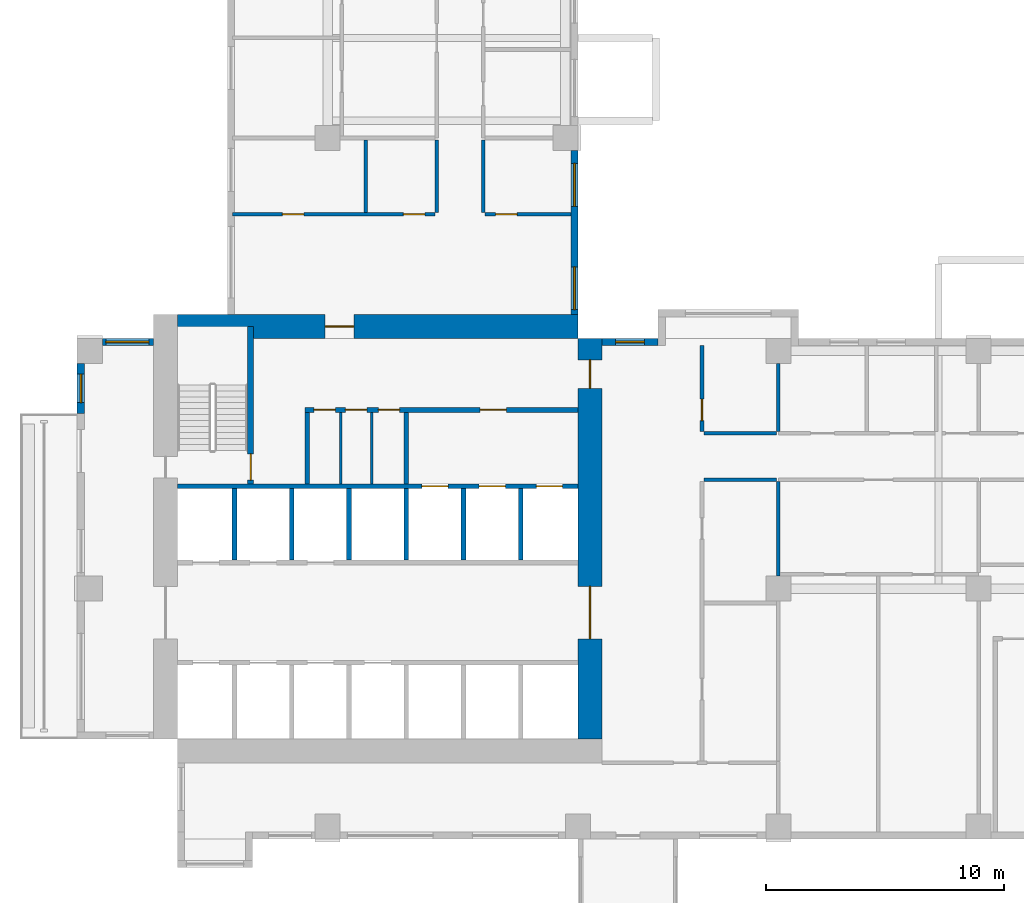
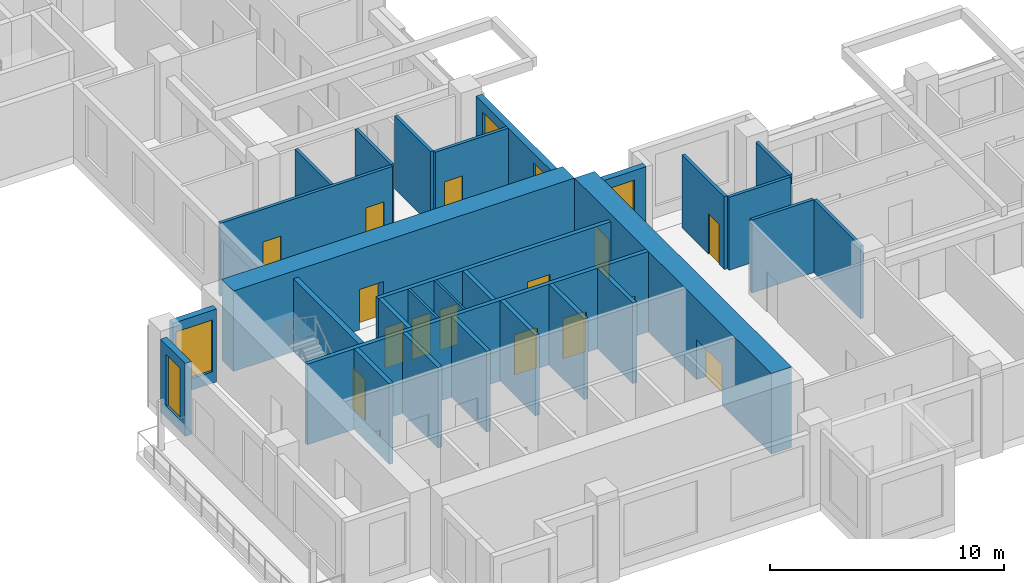
# One storey, part 3 of 14: 29 walls, 15 doors, 5 windows, 20 openings.
"""IFC4 building model written with IfcOpenShell, lengths in metres."""

from ifc_helpers import new_model, si_unit, direction, frame, frame_2d, origin, place, context, subcontext, project, spatial, rectangle, extrude, source, transform, mapped, material, layer, layer_set, type_object, element, fill, save


model = new_model("IFC4")

# Units and contexts
model_context = context("Model", 3, precision=1e-05, world=origin(), true_north=direction((0.0, 1.0)))
body_context = subcontext(model_context, "Body", "Model", "MODEL_VIEW")
ifc_project = project(units=[si_unit("LENGTHUNIT", "METRE"), si_unit("AREAUNIT", "SQUARE_METRE"), si_unit("VOLUMEUNIT", "CUBIC_METRE"), si_unit("PLANEANGLEUNIT", "RADIAN"), si_unit("MASSUNIT", "GRAM", prefix="KILO")], contexts=[model_context])

# Site, building, storey
site_placement = place(None, origin())
site = spatial("IfcSite", under=ifc_project, at=site_placement, CompositionType="ELEMENT")
building_placement = place(site_placement, origin())
building = spatial("IfcBuilding", under=site, at=building_placement, Name="Aurelian Terraces", CompositionType="ELEMENT")
storey_placement = place(building_placement, frame((0.0, 0.0, 116.1)))
storey = spatial("IfcBuildingStorey", under=building, at=storey_placement, Name="L25", CompositionType="ELEMENT", Elevation=116.1)

# Wall, opening, window
ifc_material_1 = material(Name="Terracotta rainscreen cladding", Category="masonry")
ifc_layer_1 = layer(ifc_material_1, 0.3)
ifc_layer_set_1 = layer_set([ifc_layer_1], Name="EW-300")
wall_type_1 = type_object("IfcWallType", Name="EW-300", PredefinedType="STANDARD", material=ifc_layer_set_1)
wall_1_placement = place(storey_placement, frame((24.36, 20.85, 0.0), z_axis=(0.0, 0.0, 1.0), x_axis=(-1.0, 0.0, 0.0)))
wall_1 = element("IfcWall", 1, at=wall_1_placement, inside=storey, type_object=wall_type_1, Name="External wall L25 F07.22", PredefinedType="STANDARD", context=body_context, shape_type="SweptSolid", body=[
    extrude(rectangle(XDim=2.36, YDim=0.3, at=frame_2d((1.18, 0.0))), origin(), (0.0, 0.0, 1.0), 3.8),
])
shared_shape_1 = source(origin(), body_context, "Body", "SweptSolid", [
    extrude(rectangle(XDim=1.2, YDim=2.7, at=frame_2d((0.6, 1.35))), frame((0.0, 0.16, 0.0), z_axis=(0.0, -1.0, 0.0), x_axis=(1.0, 0.0, 0.0)), (0.0, 0.0, 1.0), 0.32),
])
opening_1_placement = place(wall_1_placement, frame((0.58, 0.0, 0.6)))
opening_1 = element("IfcOpeningElement", 2, at=opening_1_placement, cuts=wall_1, Name="Opening W1227", PredefinedType="OPENING", context=body_context, shape_type="MappedRepresentation", body=[
    mapped(shared_shape_1, transform((0.0, 0.0, 0.0), scale=1.0)),
])
ifc_material_2 = material(Name="Clear glazing", Category="glass")
window_type_1 = type_object("IfcWindowType", Name="W-1200x2700", PartitioningType="SINGLE_PANEL", PredefinedType="WINDOW", material=ifc_material_2)
shared_shape_2 = source(origin(), body_context, "Body", "SweptSolid", [
    extrude(rectangle(XDim=1.2, YDim=2.7, at=frame_2d((0.6, 1.35))), frame((0.0, 0.03, 0.0), z_axis=(0.0, -1.0, 0.0), x_axis=(1.0, 0.0, 0.0)), (0.0, 0.0, 1.0), 0.06),
])
window_1_placement = place(opening_1_placement, origin())
window_1 = element("IfcWindow", 3, at=window_1_placement, inside=storey, type_object=window_type_1, Name="Window L25 L25-F07-22-P0", OverallHeight=2.7, OverallWidth=1.2, PartitioningType="SINGLE_PANEL", PredefinedType="WINDOW", context=body_context, shape_type="MappedRepresentation", body=[
    mapped(shared_shape_2, transform((0.0, 0.0, 0.0), scale=1.0)),
])
fill(opening_1, window_1)

# Wall, openings, doors
ifc_material_3 = material(Name="Concrete fc' 83 MPa", Category="concrete")
ifc_layer_2 = layer(ifc_material_3, 1.0)
ifc_layer_set_2 = layer_set([ifc_layer_2], Name="CORE WALL 1000 FC83")
wall_type_2 = type_object("IfcWallType", Name="CORE WALL 1000 FC83", PredefinedType="SHEAR", material=ifc_layer_set_2)
shared_shape_3 = source(origin(), body_context, "Body", "SweptSolid", [
    extrude(rectangle(XDim=16.8, YDim=1.0, at=frame_2d((8.4, 0.0))), origin(), (0.0, 0.0, 1.0), 4.2),
])
wall_2_placement = place(storey_placement, frame((21.5, 4.2, 0.0), z_axis=(0.0, 0.0, 1.0), x_axis=(0.0, 1.0, 0.0)))
wall_2 = element("IfcWall", 4, at=wall_2_placement, inside=storey, type_object=wall_type_2, Name="Core wall E L25", PredefinedType="SHEAR", context=body_context, shape_type="MappedRepresentation", body=[
    mapped(shared_shape_3, transform((0.0, 0.0, 0.0), scale=1.0)),
])
shared_shape_4 = source(origin(), body_context, "Body", "SweptSolid", [
    extrude(rectangle(XDim=2.2, YDim=2.1, at=frame_2d((1.1, 1.05))), frame((0.0, 0.51, 0.0), z_axis=(0.0, -1.0, 0.0), x_axis=(1.0, 0.0, 0.0)), (0.0, 0.0, 1.0), 1.02),
])
opening_2_placement = place(wall_2_placement, frame((4.2, 0.0, 0.0)))
opening_2 = element("IfcOpeningElement", 5, at=opening_2_placement, cuts=wall_2, Name="Opening 62821", PredefinedType="OPENING", context=body_context, shape_type="MappedRepresentation", body=[
    mapped(shared_shape_4, transform((0.0, 0.0, 0.0), scale=1.0)),
])
shared_shape_5 = source(origin(), body_context, "Body", "SweptSolid", [
    extrude(rectangle(XDim=1.2, YDim=2.1, at=frame_2d((0.6, 1.05))), frame((0.0, 0.51, 0.0), z_axis=(0.0, -1.0, 0.0), x_axis=(1.0, 0.0, 0.0)), (0.0, 0.0, 1.0), 1.02),
])
opening_3_placement = place(wall_2_placement, frame((14.7, 0.0, 0.0)))
opening_3 = element("IfcOpeningElement", 6, at=opening_3_placement, cuts=wall_2, Name="Opening 62824", PredefinedType="OPENING", context=body_context, shape_type="MappedRepresentation", body=[
    mapped(shared_shape_5, transform((0.0, 0.0, 0.0), scale=1.0)),
])
ifc_material_4 = material(Name="Steel door leaf", Category="steel")
door_type_1 = type_object("IfcDoorType", Name="Core fire door 1200x2100 right", OperationType="SINGLE_SWING_RIGHT", PredefinedType="DOOR", material=ifc_material_4)
shared_shape_6 = source(origin(), body_context, "Body", "SweptSolid", [
    extrude(rectangle(XDim=1.2, YDim=2.1, at=frame_2d((0.6, 1.05))), frame((0.0, 0.025, 0.0), z_axis=(0.0, -1.0, 0.0), x_axis=(1.0, 0.0, 0.0)), (0.0, 0.0, 1.0), 0.05),
])
door_1_placement = place(opening_3_placement, origin())
door_1 = element("IfcDoor", 7, at=door_1_placement, inside=storey, type_object=door_type_1, Name="Core door 62824", OperationType="SINGLE_SWING_RIGHT", OverallHeight=2.1, OverallWidth=1.2, PredefinedType="DOOR", context=body_context, shape_type="MappedRepresentation", body=[
    mapped(shared_shape_6, transform((0.0, 0.0, 0.0), scale=1.0)),
])
fill(opening_3, door_1)
door_type_2 = type_object("IfcDoorType", Name="Core double door 2200x2100", OperationType="DOUBLE_DOOR_SINGLE_SWING", PredefinedType="DOOR", material=ifc_material_4)
shared_shape_7 = source(origin(), body_context, "Body", "SweptSolid", [
    extrude(rectangle(XDim=2.2, YDim=2.1, at=frame_2d((1.1, 1.05))), frame((0.0, 0.025, 0.0), z_axis=(0.0, -1.0, 0.0), x_axis=(1.0, 0.0, 0.0)), (0.0, 0.0, 1.0), 0.05),
])
door_2_placement = place(opening_2_placement, origin())
door_2 = element("IfcDoor", 8, at=door_2_placement, inside=storey, type_object=door_type_2, Name="Core door 62821", OperationType="DOUBLE_DOOR_SINGLE_SWING", OverallHeight=2.1, OverallWidth=2.2, PredefinedType="DOOR", context=body_context, shape_type="MappedRepresentation", body=[
    mapped(shared_shape_7, transform((0.0, 0.0, 0.0), scale=1.0)),
])
fill(opening_2, door_2)

# Wall, opening, door
wall_3_placement = place(storey_placement, frame((4.2, 21.5, 0.0), z_axis=(0.0, 0.0, 1.0), x_axis=(1.0, 0.0, 0.0)))
wall_3 = element("IfcWall", 9, at=wall_3_placement, inside=storey, type_object=wall_type_2, Name="Core wall N L25", PredefinedType="SHEAR", context=body_context, shape_type="MappedRepresentation", body=[
    mapped(shared_shape_3, transform((0.0, 0.0, 0.0), scale=1.0)),
])
opening_4_placement = place(wall_3_placement, frame((6.2, 0.0, 0.0)))
opening_4 = element("IfcOpeningElement", 10, at=opening_4_placement, cuts=wall_3, Name="Opening 62823", PredefinedType="OPENING", context=body_context, shape_type="MappedRepresentation", body=[
    mapped(shared_shape_5, transform((0.0, 0.0, 0.0), scale=1.0)),
])
door_type_3 = type_object("IfcDoorType", Name="Core fire door 1200x2100", OperationType="SINGLE_SWING_LEFT", PredefinedType="DOOR", material=ifc_material_4)
door_3_placement = place(opening_4_placement, origin())
door_3 = element("IfcDoor", 11, at=door_3_placement, inside=storey, type_object=door_type_3, Name="Core door 62823", OperationType="SINGLE_SWING_LEFT", OverallHeight=2.1, OverallWidth=1.2, PredefinedType="DOOR", context=body_context, shape_type="MappedRepresentation", body=[
    mapped(shared_shape_6, transform((0.0, 0.0, 0.0), scale=1.0)),
])
fill(opening_4, door_3)

# Wall, openings, windows
shared_shape_8 = source(origin(), body_context, "Body", "SweptSolid", [
    extrude(rectangle(XDim=6.875, YDim=0.3, at=frame_2d((3.4375, 0.0))), origin(), (0.0, 0.0, 1.0), 3.8),
])
wall_4_placement = place(storey_placement, frame((20.85, 22.0, 0.0), z_axis=(0.0, 0.0, 1.0), x_axis=(0.0, 1.0, 0.0)))
wall_4 = element("IfcWall", 12, at=wall_4_placement, inside=storey, type_object=wall_type_1, Name="External wall L25 F08.23", PredefinedType="STANDARD", context=body_context, shape_type="MappedRepresentation", body=[
    mapped(shared_shape_8, transform((0.0, 0.0, 0.0), scale=1.0)),
])
shared_shape_9 = source(origin(), body_context, "Body", "SweptSolid", [
    extrude(rectangle(XDim=1.8, YDim=2.7, at=frame_2d((0.9, 1.35))), frame((0.0, 0.16, 0.0), z_axis=(0.0, -1.0, 0.0), x_axis=(1.0, 0.0, 0.0)), (0.0, 0.0, 1.0), 0.32),
])
opening_5_placement = place(wall_4_placement, frame((0.2, 0.0, 0.6)))
opening_5 = element("IfcOpeningElement", 13, at=opening_5_placement, cuts=wall_4, Name="Opening W1827", PredefinedType="OPENING", context=body_context, shape_type="MappedRepresentation", body=[
    mapped(shared_shape_9, transform((0.0, 0.0, 0.0), scale=1.0)),
])
opening_6_placement = place(wall_4_placement, frame((4.5375, 0.0, 0.6)))
opening_6 = element("IfcOpeningElement", 14, at=opening_6_placement, cuts=wall_4, Name="Opening W1827", PredefinedType="OPENING", context=body_context, shape_type="MappedRepresentation", body=[
    mapped(shared_shape_9, transform((0.0, 0.0, 0.0), scale=1.0)),
])
window_type_2 = type_object("IfcWindowType", Name="W-1800x2700", PartitioningType="SINGLE_PANEL", PredefinedType="WINDOW", material=ifc_material_2)
shared_shape_10 = source(origin(), body_context, "Body", "SweptSolid", [
    extrude(rectangle(XDim=1.8, YDim=2.7, at=frame_2d((0.9, 1.35))), frame((0.0, 0.03, 0.0), z_axis=(0.0, -1.0, 0.0), x_axis=(1.0, 0.0, 0.0)), (0.0, 0.0, 1.0), 0.06),
])
window_2_placement = place(opening_5_placement, origin())
window_2 = element("IfcWindow", 15, at=window_2_placement, inside=storey, type_object=window_type_2, Name="Window L25 L25-F08-23-0", OverallHeight=2.7, OverallWidth=1.8, PartitioningType="SINGLE_PANEL", PredefinedType="WINDOW", context=body_context, shape_type="MappedRepresentation", body=[
    mapped(shared_shape_10, transform((0.0, 0.0, 0.0), scale=1.0)),
])
fill(opening_5, window_2)
window_3_placement = place(opening_6_placement, origin())
window_3 = element("IfcWindow", 16, at=window_3_placement, inside=storey, type_object=window_type_2, Name="Window L25 L25-F08-23-1", OverallHeight=2.7, OverallWidth=1.8, PartitioningType="SINGLE_PANEL", PredefinedType="WINDOW", context=body_context, shape_type="MappedRepresentation", body=[
    mapped(shared_shape_10, transform((0.0, 0.0, 0.0), scale=1.0)),
])
fill(opening_6, window_3)

# Wall, opening, window
shared_shape_11 = source(origin(), body_context, "Body", "SweptSolid", [
    extrude(rectangle(XDim=2.15, YDim=0.3, at=frame_2d((1.075, 0.0))), origin(), (0.0, 0.0, 1.0), 3.8),
])
wall_5_placement = place(storey_placement, frame((3.2, 20.85, 0.0), z_axis=(0.0, 0.0, 1.0), x_axis=(-1.0, 0.0, 0.0)))
wall_5 = element("IfcWall", 17, at=wall_5_placement, inside=storey, type_object=wall_type_1, Name="External wall L25 F19.38", PredefinedType="STANDARD", context=body_context, shape_type="MappedRepresentation", body=[
    mapped(shared_shape_11, transform((0.0, 0.0, 0.0), scale=1.0)),
])
opening_7_placement = place(wall_5_placement, frame((0.2, 0.0, 0.6)))
opening_7 = element("IfcOpeningElement", 18, at=opening_7_placement, cuts=wall_5, Name="Opening W1827", PredefinedType="OPENING", context=body_context, shape_type="MappedRepresentation", body=[
    mapped(shared_shape_9, transform((0.0, 0.0, 0.0), scale=1.0)),
])
window_4_placement = place(opening_7_placement, origin())
window_4 = element("IfcWindow", 19, at=window_4_placement, inside=storey, type_object=window_type_2, Name="Window L25 L25-F19-38-0", OverallHeight=2.7, OverallWidth=1.8, PartitioningType="SINGLE_PANEL", PredefinedType="WINDOW", context=body_context, shape_type="MappedRepresentation", body=[
    mapped(shared_shape_10, transform((0.0, 0.0, 0.0), scale=1.0)),
])
fill(opening_7, window_4)

shared_shape_12 = source(origin(), body_context, "Body", "SweptSolid", [
    extrude(rectangle(XDim=2.1, YDim=0.3, at=frame_2d((1.05, 0.0))), origin(), (0.0, 0.0, 1.0), 3.8),
])
wall_6_placement = place(storey_placement, frame((0.15, 19.95, 0.0), z_axis=(0.0, 0.0, 1.0), x_axis=(0.0, -1.0, 0.0)))
wall_6 = element("IfcWall", 20, at=wall_6_placement, inside=storey, type_object=wall_type_1, Name="External wall L25 F20.39", PredefinedType="STANDARD", context=body_context, shape_type="MappedRepresentation", body=[
    mapped(shared_shape_12, transform((0.0, 0.0, 0.0), scale=1.0)),
])
opening_8_placement = place(wall_6_placement, frame((0.45, 0.0, 0.6)))
opening_8 = element("IfcOpeningElement", 21, at=opening_8_placement, cuts=wall_6, Name="Opening W1227", PredefinedType="OPENING", context=body_context, shape_type="MappedRepresentation", body=[
    mapped(shared_shape_1, transform((0.0, 0.0, 0.0), scale=1.0)),
])
window_5_placement = place(opening_8_placement, origin())
window_5 = element("IfcWindow", 22, at=window_5_placement, inside=storey, type_object=window_type_1, Name="Window L25 L25-F20-39-P0", OverallHeight=2.7, OverallWidth=1.2, PartitioningType="SINGLE_PANEL", PredefinedType="WINDOW", context=body_context, shape_type="MappedRepresentation", body=[
    mapped(shared_shape_2, transform((0.0, 0.0, 0.0), scale=1.0)),
])
fill(opening_8, window_5)

# Walls
ifc_material_5 = material(Name="Concrete fc' 40 MPa", Category="concrete")
ifc_layer_3 = layer(ifc_material_5, 0.2)
ifc_layer_set_3 = layer_set([ifc_layer_3], Name="Lift shaft wall 200")
wall_type_3 = type_object("IfcWallType", Name="Lift shaft wall 200", PredefinedType="SOLIDWALL", material=ifc_layer_set_3)
shared_shape_13 = source(origin(), body_context, "Body", "SweptSolid", [
    extrude(rectangle(XDim=3.0, YDim=0.2, at=frame_2d((1.5, 0.0))), origin(), (0.0, 0.0, 1.0), 4.2),
])
for number, where, z_axis, x_axis, name in (
    (23, (6.6, 11.7, 0.0), (0.0, 0.0, 1.0), (0.0, 1.0, 0.0), "L25 core wall CD-B1"),
    (24, (9.0, 11.7, 0.0), (0.0, 0.0, 1.0), (0.0, 1.0, 0.0), "L25 core wall CD-B2"),
    (25, (11.4, 11.7, 0.0), (0.0, 0.0, 1.0), (0.0, 1.0, 0.0), "L25 core wall CD-B3"),
    (26, (13.8, 11.7, 0.0), (0.0, 0.0, 1.0), (0.0, 1.0, 0.0), "L25 core wall CD-B4"),
    (27, (16.2, 11.7, 0.0), (0.0, 0.0, 1.0), (0.0, 1.0, 0.0), "L25 core wall CD-B5"),
    (28, (18.6, 11.7, 0.0), (0.0, 0.0, 1.0), (0.0, 1.0, 0.0), "L25 core wall CD-B6"),
):
    element("IfcWall", number, at=place(storey_placement, frame(where, z_axis=z_axis, x_axis=x_axis)), inside=storey, type_object=wall_type_3, Name=name, PredefinedType="SOLIDWALL", context=body_context, shape_type="MappedRepresentation", body=[
        mapped(shared_shape_13, transform((0.0, 0.0, 0.0), scale=1.0)),
    ])

# Wall, openings, doors
shared_shape_14 = source(origin(), body_context, "Body", "SweptSolid", [
    extrude(rectangle(XDim=16.8, YDim=0.2, at=frame_2d((8.4, 0.0))), origin(), (0.0, 0.0, 1.0), 4.2),
])
wall_7_placement = place(storey_placement, frame((4.2, 14.8, 0.0), z_axis=(0.0, 0.0, 1.0), x_axis=(1.0, 0.0, 0.0)))
wall_7 = element("IfcWall", 29, at=wall_7_placement, inside=storey, type_object=wall_type_3, Name="L25 core wall CF-BB1", PredefinedType="SOLIDWALL", context=body_context, shape_type="MappedRepresentation", body=[
    mapped(shared_shape_14, transform((0.0, 0.0, 0.0), scale=1.0)),
])
shared_shape_15 = source(origin(), body_context, "Body", "SweptSolid", [
    extrude(rectangle(XDim=1.1, YDim=2.1, at=frame_2d((0.55, 1.05))), frame((0.0, 0.11, 0.0), z_axis=(0.0, -1.0, 0.0), x_axis=(1.0, 0.0, 0.0)), (0.0, 0.0, 1.0), 0.22),
])
opening_9_placement = place(wall_7_placement, frame((10.25, 0.0, 0.0)))
opening_9 = element("IfcOpeningElement", 30, at=opening_9_placement, cuts=wall_7, Name="Opening 62807", PredefinedType="OPENING", context=body_context, shape_type="MappedRepresentation", body=[
    mapped(shared_shape_15, transform((0.0, 0.0, 0.0), scale=1.0)),
])
opening_10_placement = place(wall_7_placement, frame((12.65, 0.0, 0.0)))
opening_10 = element("IfcOpeningElement", 31, at=opening_10_placement, cuts=wall_7, Name="Opening 62808", PredefinedType="OPENING", context=body_context, shape_type="MappedRepresentation", body=[
    mapped(shared_shape_15, transform((0.0, 0.0, 0.0), scale=1.0)),
])
opening_11_placement = place(wall_7_placement, frame((15.05, 0.0, 0.0)))
opening_11 = element("IfcOpeningElement", 32, at=opening_11_placement, cuts=wall_7, Name="Opening 62809", PredefinedType="OPENING", context=body_context, shape_type="MappedRepresentation", body=[
    mapped(shared_shape_15, transform((0.0, 0.0, 0.0), scale=1.0)),
])
ifc_material_6 = material(Name="Stainless steel", Category="steel")
door_type_4 = type_object("IfcDoorType", Name="Lift landing door 1100x2100", OperationType="SLIDING_TO_LEFT", PredefinedType="DOOR", material=ifc_material_6)
shared_shape_16 = source(origin(), body_context, "Body", "SweptSolid", [
    extrude(rectangle(XDim=1.1, YDim=2.1, at=frame_2d((0.55, 1.05))), frame((0.0, 0.025, 0.0), z_axis=(0.0, -1.0, 0.0), x_axis=(1.0, 0.0, 0.0)), (0.0, 0.0, 1.0), 0.05),
])
door_4_placement = place(opening_9_placement, origin())
door_4 = element("IfcDoor", 33, at=door_4_placement, inside=storey, type_object=door_type_4, Name="Lift landing door F1 L25", OperationType="SLIDING_TO_LEFT", OverallHeight=2.1, OverallWidth=1.1, PredefinedType="DOOR", context=body_context, shape_type="MappedRepresentation", body=[
    mapped(shared_shape_16, transform((0.0, 0.0, 0.0), scale=1.0)),
])
fill(opening_9, door_4)
door_5_placement = place(opening_10_placement, origin())
door_5 = element("IfcDoor", 34, at=door_5_placement, inside=storey, type_object=door_type_4, Name="Lift landing door F2 L25", OperationType="SLIDING_TO_LEFT", OverallHeight=2.1, OverallWidth=1.1, PredefinedType="DOOR", context=body_context, shape_type="MappedRepresentation", body=[
    mapped(shared_shape_16, transform((0.0, 0.0, 0.0), scale=1.0)),
])
fill(opening_10, door_5)
door_6_placement = place(opening_11_placement, origin())
door_6 = element("IfcDoor", 35, at=door_6_placement, inside=storey, type_object=door_type_4, Name="Lift landing door F3 L25", OperationType="SLIDING_TO_LEFT", OverallHeight=2.1, OverallWidth=1.1, PredefinedType="DOOR", context=body_context, shape_type="MappedRepresentation", body=[
    mapped(shared_shape_16, transform((0.0, 0.0, 0.0), scale=1.0)),
])
fill(opening_11, door_6)

# Walls
ifc_material_7 = material(Name="Gypsum board on steel studs", Category="steel")
ifc_layer_4 = layer(ifc_material_7, 0.2)
ifc_layer_set_4 = layer_set([ifc_layer_4], Name="Core partition 200")
wall_type_4 = type_object("IfcWallType", Name="Core partition 200", PredefinedType="PARTITIONING", material=ifc_layer_set_4)
shared_shape_17 = source(origin(), body_context, "Body", "SweptSolid", [
    extrude(rectangle(XDim=3.0, YDim=0.2, at=frame_2d((1.5, 0.0))), origin(), (0.0, 0.0, 1.0), 3.8),
])
for number, where, z_axis, x_axis, name in (
    (36, (9.65, 14.9, 0.0), (0.0, 0.0, 1.0), (0.0, 1.0, 0.0), "L25 core wall CP-VEST"),
    (37, (13.8, 14.9, 0.0), (0.0, 0.0, 1.0), (0.0, 1.0, 0.0), "L25 core wall CP-FFL"),
):
    element("IfcWall", number, at=place(storey_placement, frame(where, z_axis=z_axis, x_axis=x_axis)), inside=storey, type_object=wall_type_4, Name=name, PredefinedType="PARTITIONING", context=body_context, shape_type="MappedRepresentation", body=[
        mapped(shared_shape_17, transform((0.0, 0.0, 0.0), scale=1.0)),
    ])
ifc_layer_5 = layer(ifc_material_7, 0.1)
ifc_layer_set_5 = layer_set([ifc_layer_5], Name="Core partition 100")
wall_type_5 = type_object("IfcWallType", Name="Core partition 100", PredefinedType="PARTITIONING", material=ifc_layer_set_5)
shared_shape_18 = source(origin(), body_context, "Body", "SweptSolid", [
    extrude(rectangle(XDim=3.0, YDim=0.1, at=frame_2d((1.5, 0.0))), origin(), (0.0, 0.0, 1.0), 3.8),
])
for number, where, z_axis, x_axis, name in (
    (38, (11.05, 14.9, 0.0), (0.0, 0.0, 1.0), (0.0, 1.0, 0.0), "L25 core wall CP-SV1"),
    (39, (12.35, 14.9, 0.0), (0.0, 0.0, 1.0), (0.0, 1.0, 0.0), "L25 core wall CP-SV2"),
):
    element("IfcWall", number, at=place(storey_placement, frame(where, z_axis=z_axis, x_axis=x_axis)), inside=storey, type_object=wall_type_5, Name=name, PredefinedType="PARTITIONING", context=body_context, shape_type="MappedRepresentation", body=[
        mapped(shared_shape_18, transform((0.0, 0.0, 0.0), scale=1.0)),
    ])

# Wall, opening, door
ifc_layer_6 = layer(ifc_material_5, 0.25)
ifc_layer_set_6 = layer_set([ifc_layer_6], Name="Stair enclosure wall 250")
wall_type_6 = type_object("IfcWallType", Name="Stair enclosure wall 250", PredefinedType="SOLIDWALL", material=ifc_layer_set_6)
shared_shape_19 = source(origin(), body_context, "Body", "SweptSolid", [
    extrude(rectangle(XDim=6.6, YDim=0.25, at=frame_2d((3.3, 0.0))), origin(), (0.0, 0.0, 1.0), 3.8),
])
wall_8_placement = place(storey_placement, frame((7.275, 14.9, 0.0), z_axis=(0.0, 0.0, 1.0), x_axis=(0.0, 1.0, 0.0)))
wall_8 = element("IfcWall", 40, at=wall_8_placement, inside=storey, type_object=wall_type_6, Name="L25 core wall ST-S1-E", PredefinedType="SOLIDWALL", context=body_context, shape_type="MappedRepresentation", body=[
    mapped(shared_shape_19, transform((0.0, 0.0, 0.0), scale=1.0)),
])
shared_shape_20 = source(origin(), body_context, "Body", "SweptSolid", [
    extrude(rectangle(XDim=1.1, YDim=2.1, at=frame_2d((0.55, 1.05))), frame((0.0, 0.135, 0.0), z_axis=(0.0, -1.0, 0.0), x_axis=(1.0, 0.0, 0.0)), (0.0, 0.0, 1.0), 0.27),
])
opening_12_placement = place(wall_8_placement, frame((0.15, 0.0, 0.0)))
opening_12 = element("IfcOpeningElement", 41, at=opening_12_placement, cuts=wall_8, Name="Opening 62810", PredefinedType="OPENING", context=body_context, shape_type="MappedRepresentation", body=[
    mapped(shared_shape_20, transform((0.0, 0.0, 0.0), scale=1.0)),
])
door_type_5 = type_object("IfcDoorType", Name="Core fire door 1100x2100", OperationType="SINGLE_SWING_LEFT", PredefinedType="DOOR", material=ifc_material_4)
door_7_placement = place(opening_12_placement, origin())
door_7 = element("IfcDoor", 42, at=door_7_placement, inside=storey, type_object=door_type_5, Name="Stair door 62810", OperationType="SINGLE_SWING_LEFT", OverallHeight=2.1, OverallWidth=1.1, PredefinedType="DOOR", context=body_context, shape_type="MappedRepresentation", body=[
    mapped(shared_shape_16, transform((0.0, 0.0, 0.0), scale=1.0)),
])
fill(opening_12, door_7)

# Wall, openings, doors
shared_shape_21 = source(origin(), body_context, "Body", "SweptSolid", [
    extrude(rectangle(XDim=11.45, YDim=0.2, at=frame_2d((5.725, 0.0))), origin(), (0.0, 0.0, 1.0), 3.8),
])
wall_9_placement = place(storey_placement, frame((9.55, 18.0, 0.0), z_axis=(0.0, 0.0, 1.0), x_axis=(1.0, 0.0, 0.0)))
wall_9 = element("IfcWall", 43, at=wall_9_placement, inside=storey, type_object=wall_type_4, Name="L25 core wall CP-NORTH", PredefinedType="PARTITIONING", context=body_context, shape_type="MappedRepresentation", body=[
    mapped(shared_shape_21, transform((0.0, 0.0, 0.0), scale=1.0)),
])
shared_shape_22 = source(origin(), body_context, "Body", "SweptSolid", [
    extrude(rectangle(XDim=0.9, YDim=2.1, at=frame_2d((0.45, 1.05))), frame((0.0, 0.11, 0.0), z_axis=(0.0, -1.0, 0.0), x_axis=(1.0, 0.0, 0.0)), (0.0, 0.0, 1.0), 0.22),
])
opening_13_placement = place(wall_9_placement, frame((0.375, 0.0, 0.0)))
opening_13 = element("IfcOpeningElement", 44, at=opening_13_placement, cuts=wall_9, Name="Opening 62811", PredefinedType="OPENING", context=body_context, shape_type="MappedRepresentation", body=[
    mapped(shared_shape_22, transform((0.0, 0.0, 0.0), scale=1.0)),
])
opening_14_placement = place(wall_9_placement, frame((1.7, 0.0, 0.0)))
opening_14 = element("IfcOpeningElement", 45, at=opening_14_placement, cuts=wall_9, Name="Opening 62812", PredefinedType="OPENING", context=body_context, shape_type="MappedRepresentation", body=[
    mapped(shared_shape_22, transform((0.0, 0.0, 0.0), scale=1.0)),
])
opening_15_placement = place(wall_9_placement, frame((3.075, 0.0, 0.0)))
opening_15 = element("IfcOpeningElement", 46, at=opening_15_placement, cuts=wall_9, Name="Opening 62813", PredefinedType="OPENING", context=body_context, shape_type="MappedRepresentation", body=[
    mapped(shared_shape_22, transform((0.0, 0.0, 0.0), scale=1.0)),
])
opening_16_placement = place(wall_9_placement, frame((7.35, 0.0, 0.0)))
opening_16 = element("IfcOpeningElement", 47, at=opening_16_placement, cuts=wall_9, Name="Opening 62814", PredefinedType="OPENING", context=body_context, shape_type="MappedRepresentation", body=[
    mapped(shared_shape_15, transform((0.0, 0.0, 0.0), scale=1.0)),
])
door_type_6 = type_object("IfcDoorType", Name="Core riser door 900x2100 right", OperationType="SINGLE_SWING_RIGHT", PredefinedType="DOOR", material=ifc_material_4)
shared_shape_23 = source(origin(), body_context, "Body", "SweptSolid", [
    extrude(rectangle(XDim=0.9, YDim=2.1, at=frame_2d((0.45, 1.05))), frame((0.0, 0.025, 0.0), z_axis=(0.0, -1.0, 0.0), x_axis=(1.0, 0.0, 0.0)), (0.0, 0.0, 1.0), 0.05),
])
door_8_placement = place(opening_13_placement, origin())
door_8 = element("IfcDoor", 48, at=door_8_placement, inside=storey, type_object=door_type_6, Name="Room door 62811", OperationType="SINGLE_SWING_RIGHT", OverallHeight=2.1, OverallWidth=0.9, PredefinedType="DOOR", context=body_context, shape_type="MappedRepresentation", body=[
    mapped(shared_shape_23, transform((0.0, 0.0, 0.0), scale=1.0)),
])
fill(opening_13, door_8)
door_type_7 = type_object("IfcDoorType", Name="Core service door 900x2100", OperationType="SINGLE_SWING_LEFT", PredefinedType="DOOR", material=ifc_material_4)
door_9_placement = place(opening_14_placement, origin())
door_9 = element("IfcDoor", 49, at=door_9_placement, inside=storey, type_object=door_type_7, Name="Room door 62812", OperationType="SINGLE_SWING_LEFT", OverallHeight=2.1, OverallWidth=0.9, PredefinedType="DOOR", context=body_context, shape_type="MappedRepresentation", body=[
    mapped(shared_shape_23, transform((0.0, 0.0, 0.0), scale=1.0)),
])
fill(opening_14, door_9)
door_type_8 = type_object("IfcDoorType", Name="Core service door 900x2100 right", OperationType="SINGLE_SWING_RIGHT", PredefinedType="DOOR", material=ifc_material_4)
door_10_placement = place(opening_15_placement, origin())
door_10 = element("IfcDoor", 50, at=door_10_placement, inside=storey, type_object=door_type_8, Name="Room door 62813", OperationType="SINGLE_SWING_RIGHT", OverallHeight=2.1, OverallWidth=0.9, PredefinedType="DOOR", context=body_context, shape_type="MappedRepresentation", body=[
    mapped(shared_shape_23, transform((0.0, 0.0, 0.0), scale=1.0)),
])
fill(opening_15, door_10)
door_11_placement = place(opening_16_placement, origin())
door_11 = element("IfcDoor", 51, at=door_11_placement, inside=storey, type_object=door_type_5, Name="Ff lobby door 62814", OperationType="SINGLE_SWING_LEFT", OverallHeight=2.1, OverallWidth=1.1, PredefinedType="DOOR", context=body_context, shape_type="MappedRepresentation", body=[
    mapped(shared_shape_16, transform((0.0, 0.0, 0.0), scale=1.0)),
])
fill(opening_16, door_11)

# Wall, opening, door
ifc_layer_7 = layer(ifc_material_7, 0.15)
ifc_layer_set_7 = layer_set([ifc_layer_7], Name="Partition 150")
wall_type_7 = type_object("IfcWallType", Name="Partition 150", PredefinedType="PARTITIONING", material=ifc_layer_set_7)
shared_shape_24 = source(origin(), body_context, "Body", "SweptSolid", [
    extrude(rectangle(XDim=3.6, YDim=0.15, at=frame_2d((1.8, 0.0))), origin(), (0.0, 0.0, 1.0), 3.8),
])
wall_10_placement = place(storey_placement, frame((26.2, 20.7, 0.0), z_axis=(0.0, 0.0, 1.0), x_axis=(0.0, -1.0, 0.0)))
wall_10 = element("IfcWall", 52, at=wall_10_placement, inside=storey, type_object=wall_type_7, Name="Partition", PredefinedType="PARTITIONING", context=body_context, shape_type="MappedRepresentation", body=[
    mapped(shared_shape_24, transform((0.0, 0.0, 0.0), scale=1.0)),
])
shared_shape_25 = source(origin(), body_context, "Body", "SweptSolid", [
    extrude(rectangle(XDim=0.9, YDim=2.1, at=frame_2d((0.45, 1.05))), frame((0.0, 0.085, 0.0), z_axis=(0.0, -1.0, 0.0), x_axis=(1.0, 0.0, 0.0)), (0.0, 0.0, 1.0), 0.17),
])
opening_17_placement = place(wall_10_placement, frame((2.25, 0.0, 0.0)))
opening_17 = element("IfcOpeningElement", 53, at=opening_17_placement, cuts=wall_10, Name="Opening 725003", PredefinedType="OPENING", context=body_context, shape_type="MappedRepresentation", body=[
    mapped(shared_shape_25, transform((0.0, 0.0, 0.0), scale=1.0)),
])
ifc_material_8 = material(Name="Timber door leaf", Category="wood")
door_type_9 = type_object("IfcDoorType", Name="Room door 900x2100 right", OperationType="SINGLE_SWING_RIGHT", PredefinedType="DOOR", material=ifc_material_8)
door_12_placement = place(opening_17_placement, origin())
door_12 = element("IfcDoor", 54, at=door_12_placement, inside=storey, type_object=door_type_9, Name="Door 725003", OperationType="SINGLE_SWING_RIGHT", OverallHeight=2.1, OverallWidth=0.9, PredefinedType="DOOR", context=body_context, shape_type="MappedRepresentation", body=[
    mapped(shared_shape_23, transform((0.0, 0.0, 0.0), scale=1.0)),
])
fill(opening_17, door_12)

wall_11_placement = place(storey_placement, frame((17.1, 26.2, 0.0), z_axis=(0.0, 0.0, 1.0), x_axis=(1.0, 0.0, 0.0)))
wall_11 = element("IfcWall", 55, at=wall_11_placement, inside=storey, type_object=wall_type_7, Name="Partition", PredefinedType="PARTITIONING", context=body_context, shape_type="MappedRepresentation", body=[
    mapped(shared_shape_24, transform((0.0, 0.0, 0.0), scale=1.0)),
])
opening_18_placement = place(wall_11_placement, frame((0.45, 0.0, 0.0)))
opening_18 = element("IfcOpeningElement", 56, at=opening_18_placement, cuts=wall_11, Name="Opening 725033", PredefinedType="OPENING", context=body_context, shape_type="MappedRepresentation", body=[
    mapped(shared_shape_25, transform((0.0, 0.0, 0.0), scale=1.0)),
])
door_13_placement = place(opening_18_placement, origin())
door_13 = element("IfcDoor", 57, at=door_13_placement, inside=storey, type_object=door_type_9, Name="Door 725033", OperationType="SINGLE_SWING_RIGHT", OverallHeight=2.1, OverallWidth=0.9, PredefinedType="DOOR", context=body_context, shape_type="MappedRepresentation", body=[
    mapped(shared_shape_23, transform((0.0, 0.0, 0.0), scale=1.0)),
])
fill(opening_18, door_13)

# Walls
shared_shape_26 = source(origin(), body_context, "Body", "SweptSolid", [
    extrude(rectangle(XDim=3.976, YDim=0.15, at=frame_2d((1.988, 0.0))), origin(), (0.0, 0.0, 1.0), 3.8),
])
wall_12_placement = place(storey_placement, frame((29.4, 11.024, 0.0), z_axis=(0.0, 0.0, 1.0), x_axis=(0.0, 1.0, 0.0)))
element("IfcWall", 58, at=wall_12_placement, inside=storey, type_object=wall_type_7, Name="Partition", PredefinedType="PARTITIONING", context=body_context, shape_type="MappedRepresentation", body=[
    mapped(shared_shape_26, transform((0.0, 0.0, 0.0), scale=1.0)),
])
shared_shape_27 = source(origin(), body_context, "Body", "SweptSolid", [
    extrude(rectangle(XDim=2.851, YDim=0.15, at=frame_2d((1.4255, 0.0))), origin(), (0.0, 0.0, 1.0), 3.8),
])
wall_13_placement = place(storey_placement, frame((29.4, 17.1, 0.0), z_axis=(0.0, 0.0, 1.0), x_axis=(0.0, 1.0, 0.0)))
element("IfcWall", 59, at=wall_13_placement, inside=storey, type_object=wall_type_7, Name="Partition", PredefinedType="PARTITIONING", context=body_context, shape_type="MappedRepresentation", body=[
    mapped(shared_shape_27, transform((0.0, 0.0, 0.0), scale=1.0)),
])
ifc_layer_8 = layer(ifc_material_7, 0.15)
ifc_layer_set_8 = layer_set([ifc_layer_8], Name="Fire partition 150")
wall_type_8 = type_object("IfcWallType", Name="Fire partition 150", PredefinedType="PARTITIONING", material=ifc_layer_set_8)
shared_shape_28 = source(origin(), body_context, "Body", "SweptSolid", [
    extrude(rectangle(XDim=3.05, YDim=0.15, at=frame_2d((1.525, 0.0))), origin(), (0.0, 0.0, 1.0), 3.8),
])
for number, where, z_axis, x_axis, name in (
    (60, (29.325, 15.075, 0.0), (0.0, 0.0, 1.0), (-1.0, 0.0, 0.0), "Corridor wall"),
    (61, (26.275, 17.025, 0.0), (0.0, 0.0, 1.0), (1.0, 0.0, 0.0), "Corridor wall"),
):
    element("IfcWall", number, at=place(storey_placement, frame(where, z_axis=z_axis, x_axis=x_axis)), inside=storey, type_object=wall_type_8, Name=name, PredefinedType="PARTITIONING", context=body_context, shape_type="MappedRepresentation", body=[
        mapped(shared_shape_28, transform((0.0, 0.0, 0.0), scale=1.0)),
    ])
wall_14_placement = place(storey_placement, frame((12.1, 26.275, 0.0), z_axis=(0.0, 0.0, 1.0), x_axis=(0.0, 1.0, 0.0)))
element("IfcWall", 62, at=wall_14_placement, inside=storey, type_object=wall_type_7, Name="Partition", PredefinedType="PARTITIONING", context=body_context, shape_type="MappedRepresentation", body=[
    mapped(shared_shape_28, transform((0.0, 0.0, 0.0), scale=1.0)),
])
for number, where, z_axis, x_axis, name in (
    (63, (15.075, 26.275, 0.0), (0.0, 0.0, 1.0), (0.0, 1.0, 0.0), "Corridor wall"),
    (64, (17.025, 29.325, 0.0), (0.0, 0.0, 1.0), (0.0, -1.0, 0.0), "Corridor wall"),
):
    element("IfcWall", number, at=place(storey_placement, frame(where, z_axis=z_axis, x_axis=x_axis)), inside=storey, type_object=wall_type_8, Name=name, PredefinedType="PARTITIONING", context=body_context, shape_type="MappedRepresentation", body=[
        mapped(shared_shape_28, transform((0.0, 0.0, 0.0), scale=1.0)),
    ])

# Wall, openings, doors
shared_shape_29 = source(origin(), body_context, "Body", "SweptSolid", [
    extrude(rectangle(XDim=8.495, YDim=0.15, at=frame_2d((4.2475, 0.0))), origin(), (0.0, 0.0, 1.0), 3.8),
])
wall_15_placement = place(storey_placement, frame((6.505, 26.2, 0.0), z_axis=(0.0, 0.0, 1.0), x_axis=(1.0, 0.0, 0.0)))
wall_15 = element("IfcWall", 65, at=wall_15_placement, inside=storey, type_object=wall_type_7, Name="Partition", PredefinedType="PARTITIONING", context=body_context, shape_type="MappedRepresentation", body=[
    mapped(shared_shape_29, transform((0.0, 0.0, 0.0), scale=1.0)),
])
opening_19_placement = place(wall_15_placement, frame((2.095, 0.0, 0.0)))
opening_19 = element("IfcOpeningElement", 66, at=opening_19_placement, cuts=wall_15, Name="Opening 725031", PredefinedType="OPENING", context=body_context, shape_type="MappedRepresentation", body=[
    mapped(shared_shape_25, transform((0.0, 0.0, 0.0), scale=1.0)),
])
opening_20_placement = place(wall_15_placement, frame((7.17, 0.0, 0.0)))
opening_20 = element("IfcOpeningElement", 67, at=opening_20_placement, cuts=wall_15, Name="Opening 725032", PredefinedType="OPENING", context=body_context, shape_type="MappedRepresentation", body=[
    mapped(shared_shape_25, transform((0.0, 0.0, 0.0), scale=1.0)),
])
door_14_placement = place(opening_19_placement, origin())
door_14 = element("IfcDoor", 68, at=door_14_placement, inside=storey, type_object=door_type_9, Name="Door 725031", OperationType="SINGLE_SWING_RIGHT", OverallHeight=2.1, OverallWidth=0.9, PredefinedType="DOOR", context=body_context, shape_type="MappedRepresentation", body=[
    mapped(shared_shape_23, transform((0.0, 0.0, 0.0), scale=1.0)),
])
fill(opening_19, door_14)
door_type_10 = type_object("IfcDoorType", Name="Room door 900x2100 left", OperationType="SINGLE_SWING_LEFT", PredefinedType="DOOR", material=ifc_material_8)
door_15_placement = place(opening_20_placement, origin())
door_15 = element("IfcDoor", 69, at=door_15_placement, inside=storey, type_object=door_type_10, Name="Door 725032", OperationType="SINGLE_SWING_LEFT", OverallHeight=2.1, OverallWidth=0.9, PredefinedType="DOOR", context=body_context, shape_type="MappedRepresentation", body=[
    mapped(shared_shape_23, transform((0.0, 0.0, 0.0), scale=1.0)),
])
fill(opening_20, door_15)

save(model, "model.ifc")
